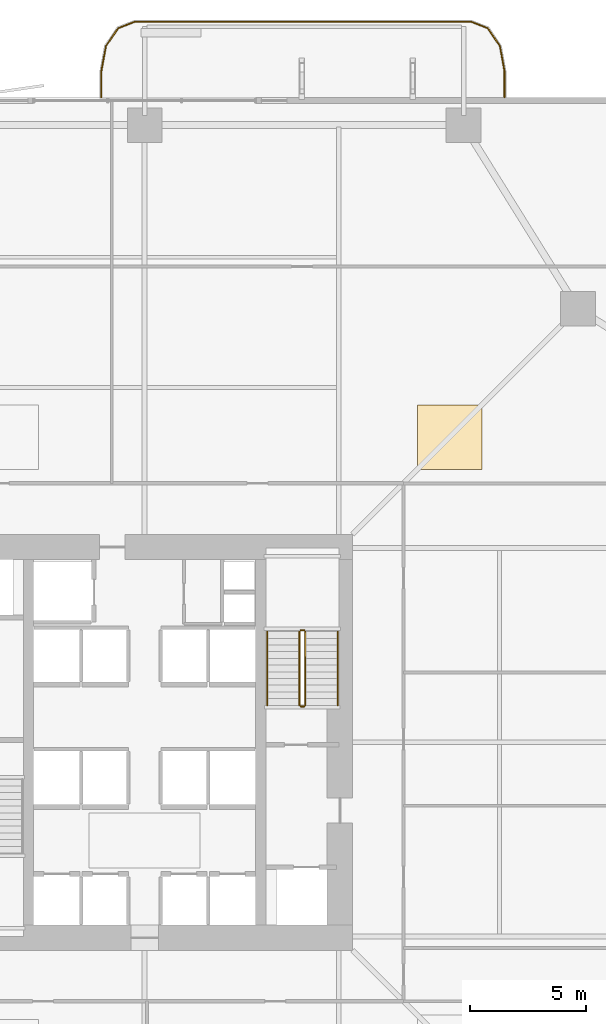
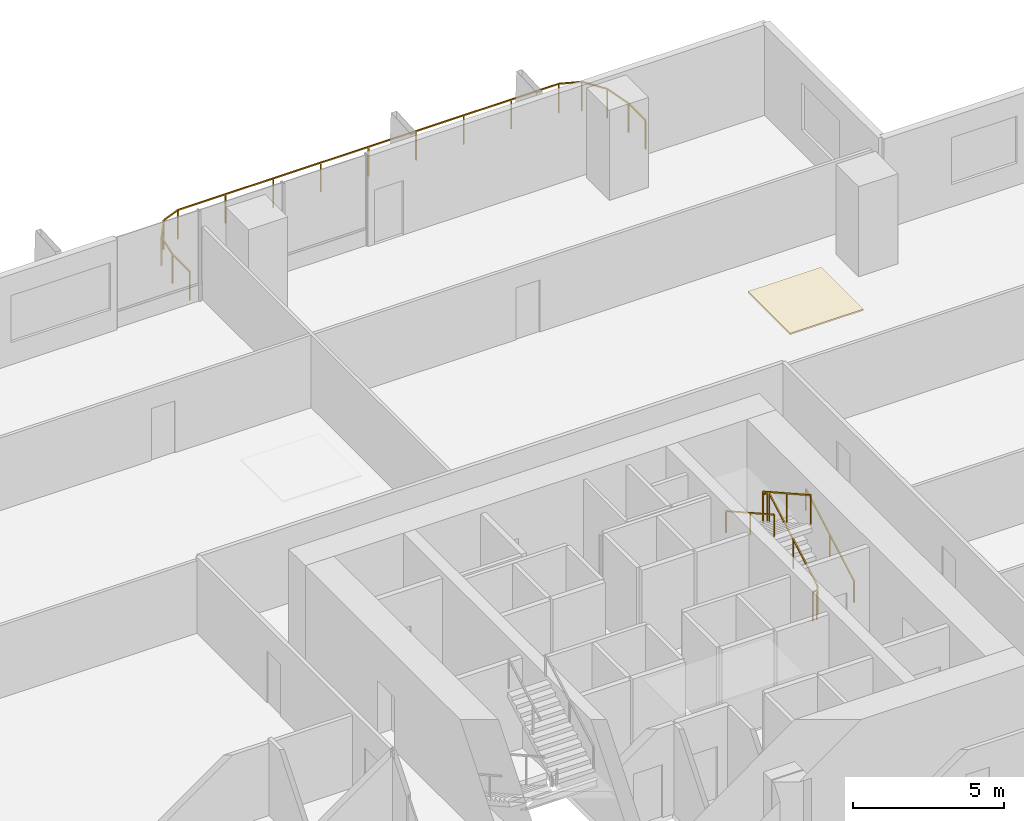
# One storey, part 23 of 23: 7 railings, 1 covering.
"""IFC4 building model written with IfcOpenShell, lengths in metres."""

from ifc_helpers import new_model, si_unit, direction, frame, origin, origin_2d, place, context, subcontext, project, spatial, polyline, rectangle, outline, extrude, material, layer, layer_set, type_object, element, save


model = new_model("IFC4")

# Units and contexts
model_context = context("Model", 3, precision=1e-05, world=origin(), true_north=direction((0.0, 1.0)))
body_context = subcontext(model_context, "Body", "Model", "MODEL_VIEW")
ifc_project = project(units=[si_unit("LENGTHUNIT", "METRE"), si_unit("AREAUNIT", "SQUARE_METRE"), si_unit("VOLUMEUNIT", "CUBIC_METRE"), si_unit("PLANEANGLEUNIT", "RADIAN"), si_unit("MASSUNIT", "GRAM", prefix="KILO")], contexts=[model_context])

# Site, building, storey
site_placement = place(None, origin())
site = spatial("IfcSite", under=ifc_project, at=site_placement, CompositionType="ELEMENT")
building_placement = place(site_placement, origin())
building = spatial("IfcBuilding", under=site, at=building_placement, Name="Belovzor Exchange Tower", CompositionType="ELEMENT")
storey_placement = place(building_placement, frame((0.0, 0.0, 76.800048828125)))
storey = spatial("IfcBuildingStorey", under=building, at=storey_placement, Name="L18", CompositionType="ELEMENT", Elevation=76.800048828125)

# Railings
ifc_material_1 = material(Name="Stainless Steel Grade 304", Category="steel")
railing_type_1 = type_object("IfcRailingType", Name="Brushed Stainless Steel Stair Handrail 900", PredefinedType="HANDRAIL", material=ifc_material_1)
railing_1_placement = place(storey_placement, frame((37.14990234375, 30.39990234375, 0.162353515625)))
element("IfcRailing", 1, at=railing_1_placement, inside=storey, type_object=railing_type_1, Name="L18 ST-2 stair handrail 1", PredefinedType="HANDRAIL", context=body_context, shape_type="SweptSolid", body=[
    extrude(rectangle(XDim=0.048095703125, YDim=0.048095703125, at=origin_2d()), frame((0.0, 0.0, 0.8759765625), z_axis=(0.0, 0.87237847985, 0.488831042279), x_axis=(-1.0, 0.0, 0.0)), (0.0, 0.0, 1.0), 3.656982421875),
    extrude(rectangle(XDim=0.0419921875, YDim=0.0419921875, at=origin_2d()), origin(), (0.0, 0.0, 1.0), 0.851806640625),
    extrude(rectangle(XDim=0.0419921875, YDim=0.0419921875, at=origin_2d()), frame((0.0, 1.59521484375, 0.893798828125)), (0.0, 0.0, 1.0), 0.851806640625),
    extrude(rectangle(XDim=0.0419921875, YDim=0.0419921875, at=origin_2d()), frame((0.0, 3.190185546875, 1.78759765625)), (0.0, 0.0, 1.0), 0.851806640625),
])
railing_2_placement = place(storey_placement, frame((34.10009765625, 33.590087890625, 2.112548828125)))
element("IfcRailing", 2, at=railing_2_placement, inside=storey, type_object=railing_type_1, Name="L18 ST-2 stair handrail 2", PredefinedType="HANDRAIL", context=body_context, shape_type="SweptSolid", body=[
    extrude(rectangle(XDim=0.048095703125, YDim=0.048095703125, at=origin_2d()), frame((0.0, 0.0, 0.8759765625), z_axis=(0.0, -0.872406949647, 0.488780230991), x_axis=(1.0, 0.0, 0.0)), (0.0, 0.0, 1.0), 3.65673828125),
    extrude(rectangle(XDim=0.0419921875, YDim=0.0419921875, at=origin_2d()), origin(), (0.0, 0.0, 1.0), 0.851806640625),
    extrude(rectangle(XDim=0.0419921875, YDim=0.0419921875, at=origin_2d()), frame((0.0, -1.59521484375, 0.8935546875)), (0.0, 0.0, 1.0), 0.851806640625),
    extrude(rectangle(XDim=0.0419921875, YDim=0.0419921875, at=origin_2d()), frame((0.0, -3.190185546875, 1.787353515625)), (0.0, 0.0, 1.0), 0.851806640625),
])
ifc_material_2 = material(Name="Stainless Steel and Laminated Safety Glass", Category="steel")
railing_type_2 = type_object("IfcRailingType", Name="Laminated Glass & Stainless Steel Balcony Balustrade 1200", PredefinedType="BALUSTRADE", material=ifc_material_2)
railing_3_placement = place(storey_placement, frame((44.3701171875, 56.7099609375, 0.0)))
element("IfcRailing", 3, at=railing_3_placement, inside=storey, type_object=railing_type_2, Name="GR-1 Balcony Balustrade L18 North", PredefinedType="BALUSTRADE", context=body_context, shape_type="SweptSolid", body=[
    extrude(rectangle(XDim=0.048095703125, YDim=0.048095703125, at=origin_2d()), frame((0.0, 0.0, 1.17578125), z_axis=(0.0, 1.0, 0.0), x_axis=(-1.0, 0.0, 0.0)), (0.0, 0.0, 1.0), 1.133056640625),
    extrude(rectangle(XDim=0.048095703125, YDim=0.048095703125, at=origin_2d()), frame((0.0, 1.133056640625, 1.17578125), z_axis=(-0.180122719713, 0.983644145941, 0.0), x_axis=(-0.983644145941, -0.180122719713, 0.0)), (0.0, 0.0, 1.0), 1.09375),
    extrude(rectangle(XDim=0.048095703125, YDim=0.048095703125, at=origin_2d()), frame((-0.197021484375, 2.208984375, 1.17578125), z_axis=(-0.56294695933, 0.826493025367, 0.0), x_axis=(-0.826493025367, -0.56294695933, 0.0)), (0.0, 0.0, 1.0), 0.932861328125),
    extrude(rectangle(XDim=0.048095703125, YDim=0.048095703125, at=origin_2d()), frame((-0.72216796875, 2.97998046875, 1.17578125), z_axis=(-0.930766990125, 0.365612923861, 0.0), x_axis=(-0.365612923861, -0.930766990125, 0.0)), (0.0, 0.0, 1.0), 0.765869140625),
    extrude(rectangle(XDim=0.048095703125, YDim=0.048095703125, at=origin_2d()), frame((-1.43505859375, 3.260009765625, 1.17578125), z_axis=(-1.0, 0.0, 0.0), x_axis=(0.0, -1.0, 0.0)), (0.0, 0.0, 1.0), 14.570068359375),
    extrude(rectangle(XDim=0.048095703125, YDim=0.048095703125, at=origin_2d()), frame((-16.005126953125, 3.260009765625, 1.17578125), z_axis=(-0.930766990125, -0.365612923861, 0.0), x_axis=(0.365612923861, -0.930766990125, 0.0)), (0.0, 0.0, 1.0), 0.765869140625),
    extrude(rectangle(XDim=0.048095703125, YDim=0.048095703125, at=origin_2d()), frame((-16.718017578125, 2.97998046875, 1.17578125), z_axis=(-0.56294695933, -0.826493025367, 0.0), x_axis=(0.826493025367, -0.56294695933, 0.0)), (0.0, 0.0, 1.0), 0.932861328125),
    extrude(rectangle(XDim=0.048095703125, YDim=0.048095703125, at=origin_2d()), frame((-17.2431640625, 2.208984375, 1.17578125), z_axis=(-0.180122719713, -0.983644145941, 0.0), x_axis=(0.983644145941, -0.180122719713, 0.0)), (0.0, 0.0, 1.0), 1.09375),
    extrude(rectangle(XDim=0.048095703125, YDim=0.048095703125, at=origin_2d()), frame((-17.440185546875, 1.133056640625, 1.17578125), z_axis=(0.0, -1.0, 0.0), x_axis=(1.0, 0.0, 0.0)), (0.0, 0.0, 1.0), 1.133056640625),
    extrude(rectangle(XDim=0.0419921875, YDim=0.0419921875, at=origin_2d()), origin(), (0.0, 0.0, 1.0), 1.15185546875),
    extrude(rectangle(XDim=0.0419921875, YDim=0.0419921875, at=origin_2d()), frame((0.0, 1.133056640625, 0.0)), (0.0, 0.0, 1.0), 1.15185546875),
    extrude(rectangle(XDim=0.0419921875, YDim=0.0419921875, at=origin_2d()), frame((-0.197021484375, 2.208984375, 0.0)), (0.0, 0.0, 1.0), 1.15185546875),
    extrude(rectangle(XDim=0.0419921875, YDim=0.0419921875, at=origin_2d()), frame((-0.72216796875, 2.97998046875, 0.0)), (0.0, 0.0, 1.0), 1.15185546875),
    extrude(rectangle(XDim=0.0419921875, YDim=0.0419921875, at=origin_2d()), frame((-1.43505859375, 3.260009765625, 0.0)), (0.0, 0.0, 1.0), 1.15185546875),
    extrude(rectangle(XDim=0.0419921875, YDim=0.0419921875, at=origin_2d()), frame((-3.25634765625, 3.260009765625, 0.0)), (0.0, 0.0, 1.0), 1.15185546875),
    extrude(rectangle(XDim=0.0419921875, YDim=0.0419921875, at=origin_2d()), frame((-5.07763671875, 3.260009765625, 0.0)), (0.0, 0.0, 1.0), 1.15185546875),
    extrude(rectangle(XDim=0.0419921875, YDim=0.0419921875, at=origin_2d()), frame((-6.89892578125, 3.260009765625, 0.0)), (0.0, 0.0, 1.0), 1.15185546875),
    extrude(rectangle(XDim=0.0419921875, YDim=0.0419921875, at=origin_2d()), frame((-8.72021484375, 3.260009765625, 0.0)), (0.0, 0.0, 1.0), 1.15185546875),
    extrude(rectangle(XDim=0.0419921875, YDim=0.0419921875, at=origin_2d()), frame((-10.541259765625, 3.260009765625, 0.0)), (0.0, 0.0, 1.0), 1.15185546875),
    extrude(rectangle(XDim=0.0419921875, YDim=0.0419921875, at=origin_2d()), frame((-12.362548828125, 3.260009765625, 0.0)), (0.0, 0.0, 1.0), 1.15185546875),
    extrude(rectangle(XDim=0.0419921875, YDim=0.0419921875, at=origin_2d()), frame((-14.183837890625, 3.260009765625, 0.0)), (0.0, 0.0, 1.0), 1.15185546875),
    extrude(rectangle(XDim=0.0419921875, YDim=0.0419921875, at=origin_2d()), frame((-16.005126953125, 3.260009765625, 0.0)), (0.0, 0.0, 1.0), 1.15185546875),
    extrude(rectangle(XDim=0.0419921875, YDim=0.0419921875, at=origin_2d()), frame((-16.718017578125, 2.97998046875, 0.0)), (0.0, 0.0, 1.0), 1.15185546875),
    extrude(rectangle(XDim=0.0419921875, YDim=0.0419921875, at=origin_2d()), frame((-17.2431640625, 2.208984375, 0.0)), (0.0, 0.0, 1.0), 1.15185546875),
    extrude(rectangle(XDim=0.0419921875, YDim=0.0419921875, at=origin_2d()), frame((-17.440185546875, 1.133056640625, 0.0)), (0.0, 0.0, 1.0), 1.15185546875),
    extrude(rectangle(XDim=0.0419921875, YDim=0.0419921875, at=origin_2d()), frame((-17.440185546875, 0.0, 0.0)), (0.0, 0.0, 1.0), 1.15185546875),
])
ifc_material_3 = material(Name="Steel S355", Category="steel")
railing_type_3 = type_object("IfcRailingType", Name="Painted Steel Stairwell Guardrail 1200", PredefinedType="GUARDRAIL", material=ifc_material_3)
railing_4_placement = place(storey_placement, frame((35.75, 30.39990234375, 0.162353515625)))
element("IfcRailing", 4, at=railing_4_placement, inside=storey, type_object=railing_type_3, Name="L18 ST-2 stair guard 1", PredefinedType="GUARDRAIL", context=body_context, shape_type="SweptSolid", body=[
    extrude(rectangle(XDim=0.048095703125, YDim=0.048095703125, at=origin_2d()), frame((0.0, 0.0, 1.17578125), z_axis=(0.0, 0.87237847985, 0.488831042279), x_axis=(-1.0, 0.0, 0.0)), (0.0, 0.0, 1.0), 3.656982421875),
    extrude(rectangle(XDim=0.0419921875, YDim=0.0419921875, at=origin_2d()), origin(), (0.0, 0.0, 1.0), 1.15185546875),
    extrude(rectangle(XDim=0.0419921875, YDim=0.0419921875, at=origin_2d()), frame((0.0, 1.59521484375, 0.893798828125)), (0.0, 0.0, 1.0), 1.15185546875),
    extrude(rectangle(XDim=0.0419921875, YDim=0.0419921875, at=origin_2d()), frame((0.0, 3.190185546875, 1.78759765625)), (0.0, 0.0, 1.0), 1.15185546875),
])
railing_5_placement = place(storey_placement, frame((35.699951171875, 33.639892578125, 1.949951171875)))
element("IfcRailing", 5, at=railing_5_placement, inside=storey, type_object=railing_type_3, Name="L18 ST-2 stair guard 2", PredefinedType="GUARDRAIL", context=body_context, shape_type="SweptSolid", body=[
    extrude(rectangle(XDim=0.048095703125, YDim=0.048095703125, at=origin_2d()), frame((0.0, 0.0, 1.17578125), z_axis=(-1.0, 0.0, 0.0), x_axis=(0.0, -1.0, 0.0)), (0.0, 0.0, 1.0), 0.14990234375),
    extrude(rectangle(XDim=0.0419921875, YDim=0.0419921875, at=origin_2d()), origin(), (0.0, 0.0, 1.0), 1.15185546875),
    extrude(rectangle(XDim=0.0419921875, YDim=0.0419921875, at=origin_2d()), frame((-0.14990234375, 0.0, 0.0)), (0.0, 0.0, 1.0), 1.15185546875),
])
railing_6_placement = place(storey_placement, frame((35.5, 33.590087890625, 2.112548828125)))
element("IfcRailing", 6, at=railing_6_placement, inside=storey, type_object=railing_type_3, Name="L18 ST-2 stair guard 3", PredefinedType="GUARDRAIL", context=body_context, shape_type="SweptSolid", body=[
    extrude(rectangle(XDim=0.048095703125, YDim=0.048095703125, at=origin_2d()), frame((0.0, 0.0, 1.17578125), z_axis=(0.0, -0.872406949647, 0.488780230991), x_axis=(1.0, 0.0, 0.0)), (0.0, 0.0, 1.0), 3.65673828125),
    extrude(rectangle(XDim=0.0419921875, YDim=0.0419921875, at=origin_2d()), origin(), (0.0, 0.0, 1.0), 1.15185546875),
    extrude(rectangle(XDim=0.0419921875, YDim=0.0419921875, at=origin_2d()), frame((0.0, -1.59521484375, 0.8935546875)), (0.0, 0.0, 1.0), 1.15185546875),
    extrude(rectangle(XDim=0.0419921875, YDim=0.0419921875, at=origin_2d()), frame((0.0, -3.190185546875, 1.787353515625)), (0.0, 0.0, 1.0), 1.15185546875),
])
railing_7_placement = place(storey_placement, frame((35.699951171875, 30.35009765625, 0.0)))
element("IfcRailing", 7, at=railing_7_placement, inside=storey, type_object=railing_type_3, Name="L18 ST-2 stair guard 4", PredefinedType="GUARDRAIL", context=body_context, shape_type="SweptSolid", body=[
    extrude(rectangle(XDim=0.048095703125, YDim=0.048095703125, at=origin_2d()), frame((0.0, 0.0, 1.17578125), z_axis=(-1.0, 0.0, 0.0), x_axis=(0.0, -1.0, 0.0)), (0.0, 0.0, 1.0), 0.14990234375),
    extrude(rectangle(XDim=0.0419921875, YDim=0.0419921875, at=origin_2d()), origin(), (0.0, 0.0, 1.0), 1.15185546875),
    extrude(rectangle(XDim=0.0419921875, YDim=0.0419921875, at=origin_2d()), frame((-0.14990234375, 0.0, 0.0)), (0.0, 0.0, 1.0), 1.15185546875),
])

# Covering
ifc_material_4 = material(Name="Perforated Powder-Coated Aluminium", Category="aluminium")
ifc_layer = layer(ifc_material_4, 0.06005859375)
ifc_layer_set = layer_set([ifc_layer], Name="Perforated Powder-Coated Aluminium")
covering_type = type_object("IfcCoveringType", Name="Perforated Acoustic Metal Tile Suspended Ceiling 60", PredefinedType="CEILING", material=ifc_layer_set)
covering_placement = place(storey_placement, frame((0.0, 0.0, 3.58984375)))
element("IfcCovering", 8, at=covering_placement, inside=storey, type_object=covering_type, Name="CLG-AC60 Suspended Ceiling CLG-L18-Z2", PredefinedType="CEILING", context=body_context, shape_type="SweptSolid", body=[
    extrude(outline(polyline([(40.60009765625, 40.60009765625), (43.39990234375, 40.60009765625), (43.39990234375, 43.39990234375), (40.60009765625, 43.39990234375), (40.60009765625, 40.60009765625)])), origin(), (0.0, 0.0, 1.0), 0.06005859375),
])

save(model, "model.ifc")
